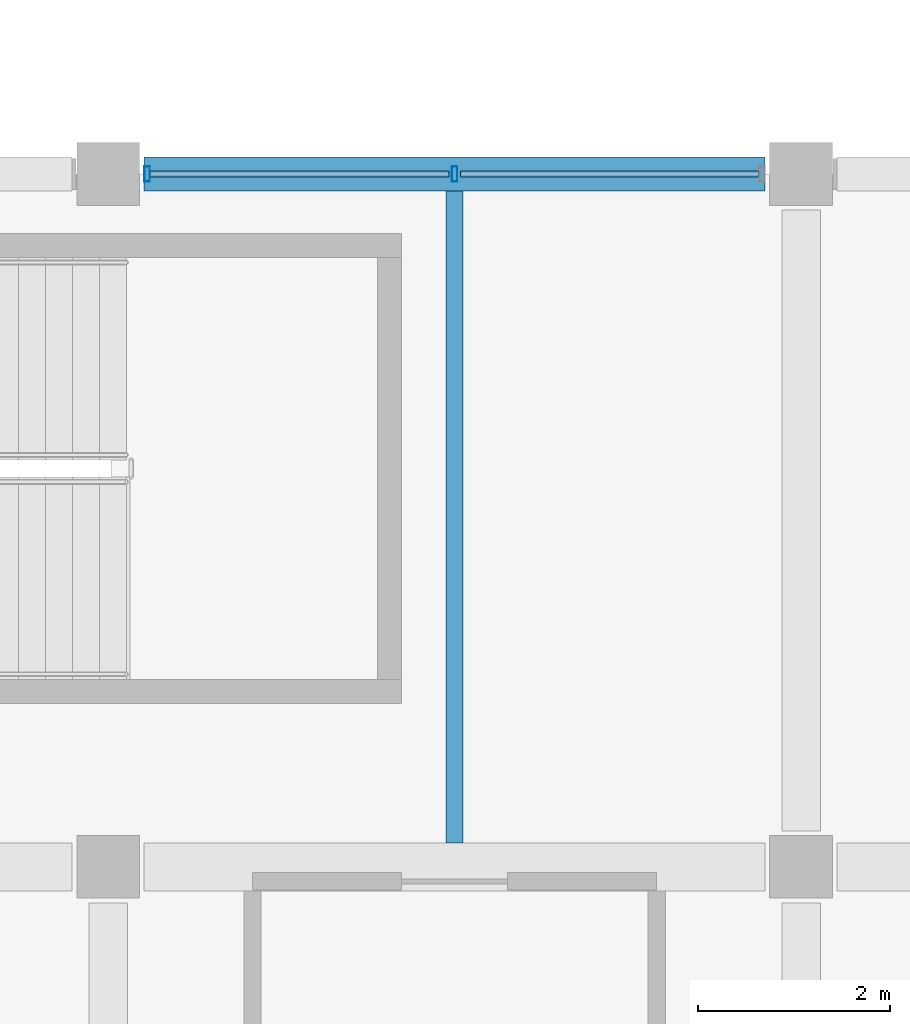
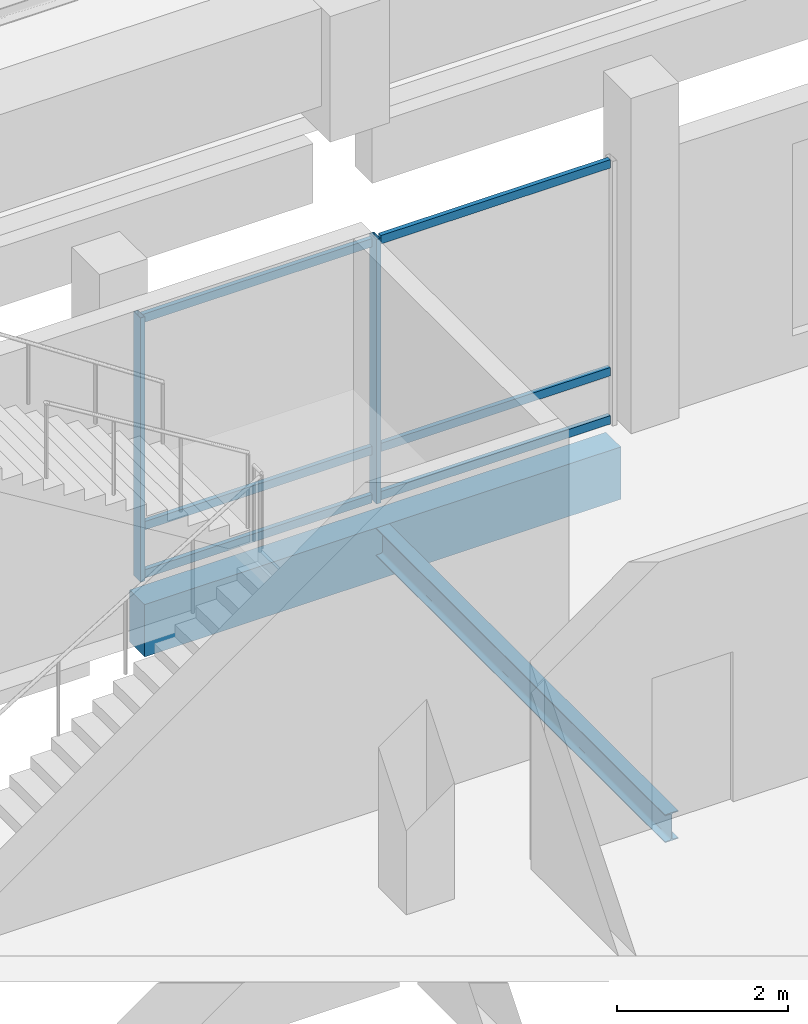
# One storey, part 26 of 116: 8 members, 2 beams, 1 element without a shape of its own.
"""IFC4 building model written with IfcOpenShell, lengths in metres."""

import ifcopenshell
import ifcopenshell.guid

model = None  # the IFC model being written
_history = None  # IfcOwnerHistory: only IFC2X3 demands one
_inside = {}  # id of a spatial element -> (the spatial element, [elements in it])
_under = {}  # id of a project, library or spatial element -> (it, [spatial elements below it])
_declared = {}  # id of a project -> (the project, [libraries it declares])
_typed = {}  # id of a type object -> (the type object, [elements of that type])
_made_of = {}  # id of a material, layer set ... -> (it, [elements and type objects made of it])


def new_model(schema):
    """Start an empty IFC model of exactly this schema.

    Asked for "IFC4X3", IfcOpenShell would pick the latest addendum, in which some entities
    have other attributes; the version numbers below select the first issue.
    IFC2X3 requires an IfcOwnerHistory on every rooted entity: one is made here for all.
    """
    global model, _history
    if schema == "IFC4X3":
        model = ifcopenshell.file(schema_version=(4, 3, 0, 0))
    else:
        model = ifcopenshell.file(schema=schema)
    _inside.clear()
    _under.clear()
    _declared.clear()
    _typed.clear()
    _made_of.clear()
    _history = None
    if model.schema == "IFC2X3":
        org = make("IfcOrganization", Name="unknown")
        user = make(
            "IfcPersonAndOrganization",
            ThePerson=make("IfcPerson", FamilyName="unknown"),
            TheOrganization=org,
        )
        app = make(
            "IfcApplication",
            ApplicationDeveloper=org,
            Version="unknown",
            ApplicationFullName="unknown",
            ApplicationIdentifier="unknown",
        )
        _history = make(
            "IfcOwnerHistory",
            OwningUser=user,
            OwningApplication=app,
            ChangeAction="ADDED",
            CreationDate=0,
        )
    return model


def make(cls, **values):
    """One entity of the class cls with the attributes given. An attribute that is None is left unset."""
    return model.create_entity(
        cls, **{name: value for name, value in values.items() if value is not None}
    )


def rooted(cls, **values):
    """An entity with a GlobalId (a new one), such as an element, a storey or a relation."""
    return make(cls, GlobalId=ifcopenshell.guid.new(), OwnerHistory=_history, **values)


def si_unit(unit_type, name, prefix=None):
    """IfcSIUnit, for example si_unit("LENGTHUNIT", "METRE", prefix="MILLI")."""
    return make("IfcSIUnit", UnitType=unit_type, Prefix=prefix, Name=name)


def assignment(units):
    """IfcUnitAssignment: the units of a project."""
    return None if units is None else make("IfcUnitAssignment", Units=units)


def point(xyz):
    """IfcCartesianPoint."""
    return None if xyz is None else make("IfcCartesianPoint", Coordinates=xyz)


def direction(xyz):
    """IfcDirection."""
    return None if xyz is None else make("IfcDirection", DirectionRatios=xyz)


def frame(location, z_axis=None, x_axis=None):
    """IfcAxis2Placement3D, a coordinate frame: its origin and axes. An axis left out is left unset."""
    return make(
        "IfcAxis2Placement3D",
        Location=point(location),
        Axis=direction(z_axis),
        RefDirection=direction(x_axis),
    )


def frame_2d(location, x_axis=None):
    """IfcAxis2Placement2D, a coordinate frame in the plane: its origin and x axis."""
    return make(
        "IfcAxis2Placement2D", Location=point(location), RefDirection=direction(x_axis)
    )


def origin():
    """The frame at (0, 0, 0) with its axes left unset."""
    return frame((0.0, 0.0, 0.0))


def origin_2d():
    """The frame at (0, 0) in the plane with its x axis left unset."""
    return frame_2d((0.0, 0.0))


def place(relative_to, where):
    """IfcLocalPlacement: puts the frame where relative to a parent placement (None: the world)."""
    return make(
        "IfcLocalPlacement", PlacementRelTo=relative_to, RelativePlacement=where
    )


def context(
    kind, dimensions, precision=None, world=None, true_north=None, identifier=None
):
    """IfcGeometricRepresentationContext, for example the 3D "Model" context."""
    return make(
        "IfcGeometricRepresentationContext",
        ContextIdentifier=identifier,
        ContextType=kind,
        CoordinateSpaceDimension=dimensions,
        Precision=precision,
        WorldCoordinateSystem=world,
        TrueNorth=true_north,
    )


def subcontext(parent, identifier, kind, view, scale=None):
    """IfcGeometricRepresentationSubContext, for example "Body" below "Model"."""
    return make(
        "IfcGeometricRepresentationSubContext",
        ContextIdentifier=identifier,
        ContextType=kind,
        ParentContext=parent,
        TargetScale=scale,
        TargetView=view,
    )


def project(units=None, contexts=None):
    """IfcProject with its units and contexts."""
    return rooted(
        "IfcProject",
        Name="project",
        RepresentationContexts=contexts,
        UnitsInContext=assignment(units),
    )


def spatial(cls, under=None, at=None, **own):
    """A site, building, storey or space (cls), placed at a placement, below another one or the project."""
    s = rooted(cls, ObjectPlacement=at, **own)
    if under is not None:
        _under.setdefault(under.id(), (under, []))[1].append(s)
    return s


def profile(cls, at=None, kind="AREA", **sizes):
    """A parametric profile (cls). Its sizes go by their IFC names, for example OverallWidth=200.0."""
    return make(cls, ProfileType=kind, Position=at, **sizes)


def rectangle(**sizes):
    """IfcRectangleProfileDef."""
    return profile("IfcRectangleProfileDef", **sizes)


def hollow_rectangle(**sizes):
    """IfcRectangleHollowProfileDef."""
    return profile("IfcRectangleHollowProfileDef", **sizes)


def i_section(**sizes):
    """IfcIShapeProfileDef."""
    return profile("IfcIShapeProfileDef", **sizes)


def extrude(swept, where, along, depth):
    """IfcExtrudedAreaSolid: the profile swept, set in the frame where, extruded along a direction by depth."""
    return make(
        "IfcExtrudedAreaSolid",
        SweptArea=swept,
        Position=where,
        ExtrudedDirection=direction(along),
        Depth=depth,
    )


def shape(context_of_items, identifier, shape_type, items):
    """IfcShapeRepresentation: the items that make up one representation, for example the "Body"."""
    return make(
        "IfcShapeRepresentation",
        ContextOfItems=context_of_items,
        RepresentationIdentifier=identifier,
        RepresentationType=shape_type,
        Items=items,
    )


def material(Name=None, Category=None):
    """IfcMaterial."""
    return make("IfcMaterial", Name=Name, Category=Category)


def material_profile(
    of_material, cross_section, Name=None, Category=None, Priority=None
):
    """IfcMaterialProfile: a cross section and its material."""
    return make(
        "IfcMaterialProfile",
        Name=Name,
        Material=of_material,
        Profile=cross_section,
        Priority=Priority,
        Category=Category,
    )


def profile_set(profiles, Name=None, composite=None):
    """IfcMaterialProfileSet."""
    return make(
        "IfcMaterialProfileSet",
        Name=Name,
        MaterialProfiles=profiles,
        CompositeProfile=composite,
    )


def made_of(thing, what):
    """Note that an element or type object is made of a material, layer set ...; save() writes the relation."""
    if what is not None:
        _made_of.setdefault(what.id(), (what, []))[1].append(thing)
    return thing


def type_object(cls, material=None, **own):
    """A type object (cls), such as IfcWallType, which elements share."""
    return made_of(rooted(cls, **own), material)


def element(
    cls,
    number,
    at=None,
    inside=None,
    cuts=None,
    type_object=None,
    material=None,
    context=None,
    identifier="Body",
    shape_type=None,
    held_by="IfcProductDefinitionShape",
    body=None,
    shapes=None,
    **own,
):
    """One element of the class cls, such as IfcWall. Its Tag is "e" and its number.

    at: its placement. inside: the storey or other place that contains it. cuts: it is an
    opening in that element (IfcRelVoidsElement). A single representation is given by context,
    identifier, shape_type and body (its items); several are given by shapes. held_by: the class
    of the entity that holds the representations. save() writes the other relations.
    """
    e = rooted(cls, Tag="e%d" % number, ObjectPlacement=at, **own)
    if body is not None:
        shapes = [shape(context, identifier, shape_type, body)]
    if shapes is not None:
        e.Representation = make(held_by, Representations=shapes)
    if inside is not None:
        _inside.setdefault(inside.id(), (inside, []))[1].append(e)
    if cuts is not None:
        rooted(
            "IfcRelVoidsElement", RelatingBuildingElement=cuts, RelatedOpeningElement=e
        )
    if type_object is not None:
        _typed.setdefault(type_object.id(), (type_object, []))[1].append(e)
    return made_of(e, material)


def aggregate(whole, parts):
    """IfcRelAggregates: a whole, such as a stair, and the parts it consists of."""
    return rooted("IfcRelAggregates", RelatingObject=whole, RelatedObjects=parts)


def save(model, path):
    """Write the relations noted so far, then the file.

    IfcRelAggregates (storeys below a building ...), IfcRelContainedInSpatialStructure (elements
    in a storey), IfcRelDefinesByType, IfcRelAssociatesMaterial and IfcRelDeclares: one each for
    every whole, place, type object, material and project.
    """
    for whole, parts in _under.values():
        aggregate(whole, parts)
    for where, things in _inside.values():
        rooted(
            "IfcRelContainedInSpatialStructure",
            RelatedElements=things,
            RelatingStructure=where,
        )
    for kind, things in _typed.values():
        rooted("IfcRelDefinesByType", RelatedObjects=things, RelatingType=kind)
    for what, things in _made_of.values():
        rooted("IfcRelAssociatesMaterial", RelatedObjects=things, RelatingMaterial=what)
    for by, libraries in _declared.values():
        rooted("IfcRelDeclares", RelatingContext=by, RelatedDefinitions=libraries)
    model.write(path)


model = new_model("IFC4")

# Units and contexts
model_context = context("Model", 3, precision=1e-05, world=origin(), true_north=direction((0.0, 1.0)))
body_context = subcontext(model_context, "Body", "Model", "MODEL_VIEW")
ifc_project = project(units=[si_unit("LENGTHUNIT", "METRE"), si_unit("AREAUNIT", "SQUARE_METRE"), si_unit("VOLUMEUNIT", "CUBIC_METRE"), si_unit("PLANEANGLEUNIT", "RADIAN"), si_unit("MASSUNIT", "GRAM", prefix="KILO")], contexts=[model_context])

# Site, building, storey
site_placement = place(None, origin())
site = spatial("IfcSite", under=ifc_project, at=site_placement, CompositionType="ELEMENT")
building_placement = place(site_placement, origin())
building = spatial("IfcBuilding", under=site, at=building_placement, Name="Cendralis Lancet Convention Centre", CompositionType="ELEMENT")
storey_placement = place(building_placement, frame((0.0, 0.0, 15.0)))
storey = spatial("IfcBuildingStorey", under=building, at=storey_placement, Name="L03", CompositionType="ELEMENT", Elevation=15.0)

# Curtain wall, members
ifc_material_1 = material(Name="Anodised bronze architectural aluminium", Category="aluminium")
curtain_wall_type = type_object("IfcCurtainWallType", Name="ARC-CW-CL02", PredefinedType="USERDEFINED", material=ifc_material_1)
curtain_wall_placement = place(storey_placement, origin())
curtain_wall = element("IfcCurtainWall", 1, at=curtain_wall_placement, inside=storey, type_object=curtain_wall_type, Name="L03 Curtain Wall CW-CL2 #188", ObjectType="CURTAIN WALL", PredefinedType="USERDEFINED")
ifc_material_profile_1 = material_profile(ifc_material_1, hollow_rectangle(XDim=0.06005859375, YDim=0.159912109375, WallThickness=0.00390625, at=origin_2d()), Name="AL-MULL 60x160x4.0")
ifc_profile_set_1 = profile_set([ifc_material_profile_1], Name="Anodised bronze architectural aluminium")
member_type_1 = type_object("IfcMemberType", Name="ARC-CW-ML01", PredefinedType="MULLION", material=ifc_profile_set_1)
member_1_placement = place(storey_placement, frame((154.0048828125, 36.0, 0.0), z_axis=(0.0, 0.0, 1.0), x_axis=(1.0, 0.0, 0.0)))
member_1 = element("IfcMember", 2, at=member_1_placement, type_object=member_type_1, Name="Mullion CW2-CW-CL2-L03-188-M0", PredefinedType="MULLION", context=body_context, shape_type="SweptSolid", body=[
    extrude(hollow_rectangle(XDim=0.06005859375, YDim=0.159912109375, WallThickness=0.00390625, at=origin_2d()), origin(), (0.0, 0.0, 1.0), 3.784912109375),
])
member_2_placement = place(storey_placement, frame((157.199951171875, 36.0, 0.0), z_axis=(0.0, 0.0, 1.0), x_axis=(1.0, 0.0, 0.0)))
member_2 = element("IfcMember", 3, at=member_2_placement, type_object=member_type_1, Name="Mullion CW2-CW-CL2-L03-188-M1", PredefinedType="MULLION", context=body_context, shape_type="SweptSolid", body=[
    extrude(hollow_rectangle(XDim=0.06005859375, YDim=0.159912109375, WallThickness=0.00390625, at=origin_2d()), origin(), (0.0, 0.0, 1.0), 3.784912109375),
])
ifc_material_profile_2 = material_profile(ifc_material_1, hollow_rectangle(XDim=0.06005859375, YDim=0.1201171875, WallThickness=0.00390625, at=origin_2d()), Name="AL-TRAN 60x120x4.0")
ifc_profile_set_2 = profile_set([ifc_material_profile_2], Name="Anodised bronze architectural aluminium")
member_type_2 = type_object("IfcMemberType", Name="ARC-CW-TR01", PredefinedType="USERDEFINED", material=ifc_profile_set_2)
member_3_placement = place(storey_placement, frame((154.034912109375, 36.0, 0.06005859375), z_axis=(1.0, 0.0, 0.0), x_axis=(0.0, 1.0, 0.0)))
member_3 = element("IfcMember", 4, at=member_3_placement, type_object=member_type_2, Name="Transom CW2-CW-CL2-L03-188-T0BOT", ObjectType="TRANSOM", PredefinedType="USERDEFINED", context=body_context, shape_type="SweptSolid", body=[
    extrude(hollow_rectangle(XDim=0.06005859375, YDim=0.1201171875, WallThickness=0.00390625, at=origin_2d()), origin(), (0.0, 0.0, 1.0), 3.10498046875),
])
member_4_placement = place(storey_placement, frame((154.034912109375, 36.0, 0.75), z_axis=(1.0, 0.0, 0.0), x_axis=(0.0, 1.0, 0.0)))
member_4 = element("IfcMember", 5, at=member_4_placement, type_object=member_type_2, Name="Transom CW2-CW-CL2-L03-188-T0MID", ObjectType="TRANSOM", PredefinedType="USERDEFINED", context=body_context, shape_type="SweptSolid", body=[
    extrude(hollow_rectangle(XDim=0.06005859375, YDim=0.1201171875, WallThickness=0.00390625, at=origin_2d()), origin(), (0.0, 0.0, 1.0), 3.10498046875),
])
member_5_placement = place(storey_placement, frame((154.034912109375, 36.0, 3.72509765625), z_axis=(1.0, 0.0, 0.0), x_axis=(0.0, 1.0, 0.0)))
member_5 = element("IfcMember", 6, at=member_5_placement, type_object=member_type_2, Name="Transom CW2-CW-CL2-L03-188-T0TOP", ObjectType="TRANSOM", PredefinedType="USERDEFINED", context=body_context, shape_type="SweptSolid", body=[
    extrude(hollow_rectangle(XDim=0.06005859375, YDim=0.1201171875, WallThickness=0.00390625, at=origin_2d()), origin(), (0.0, 0.0, 1.0), 3.10498046875),
])
member_6_placement = place(storey_placement, frame((157.260009765625, 36.0, 0.06005859375), z_axis=(1.0, 0.0, 0.0), x_axis=(0.0, 1.0, 0.0)))
member_6 = element("IfcMember", 7, at=member_6_placement, type_object=member_type_2, Name="Transom CW2-CW-CL2-L03-188-T1BOT", ObjectType="TRANSOM", PredefinedType="USERDEFINED", context=body_context, shape_type="SweptSolid", body=[
    extrude(hollow_rectangle(XDim=0.06005859375, YDim=0.1201171875, WallThickness=0.00390625, at=origin_2d()), origin(), (0.0, 0.0, 1.0), 3.10498046875),
])
member_7_placement = place(storey_placement, frame((157.260009765625, 36.0, 0.75), z_axis=(1.0, 0.0, 0.0), x_axis=(0.0, 1.0, 0.0)))
member_7 = element("IfcMember", 8, at=member_7_placement, type_object=member_type_2, Name="Transom CW2-CW-CL2-L03-188-T1MID", ObjectType="TRANSOM", PredefinedType="USERDEFINED", context=body_context, shape_type="SweptSolid", body=[
    extrude(hollow_rectangle(XDim=0.06005859375, YDim=0.1201171875, WallThickness=0.00390625, at=origin_2d()), origin(), (0.0, 0.0, 1.0), 3.10498046875),
])
member_8_placement = place(storey_placement, frame((157.260009765625, 36.0, 3.72509765625), z_axis=(1.0, 0.0, 0.0), x_axis=(0.0, 1.0, 0.0)))
member_8 = element("IfcMember", 9, at=member_8_placement, type_object=member_type_2, Name="Transom CW2-CW-CL2-L03-188-T1TOP", ObjectType="TRANSOM", PredefinedType="USERDEFINED", context=body_context, shape_type="SweptSolid", body=[
    extrude(hollow_rectangle(XDim=0.06005859375, YDim=0.1201171875, WallThickness=0.00390625, at=origin_2d()), origin(), (0.0, 0.0, 1.0), 3.10498046875),
])
aggregate(curtain_wall, [member_1, member_2, member_3, member_4, member_5, member_6, member_7, member_8])

# Beams
ifc_material_2 = material(Name="Steel S355", Category="steel")
ifc_material_profile_3 = material_profile(ifc_material_2, i_section(OverallWidth=0.179931640625, OverallDepth=0.39990234375, WebThickness=0.008544921875, FlangeThickness=0.013427734375, FilletRadius=0.02099609375, at=origin_2d()), Name="IPE 400")
ifc_profile_set_3 = profile_set([ifc_material_profile_3], Name="Steel S355")
beam_type_1 = type_object("IfcBeamType", Name="STR-JS-BJ08", PredefinedType="JOIST", material=ifc_profile_set_3)
beam_1_placement = place(storey_placement, frame((157.199951171875, 29.050048828125, -0.4599609375), z_axis=(0.0, 1.0, 0.0), x_axis=(-1.0, 0.0, 0.0)))
element("IfcBeam", 10, at=beam_1_placement, inside=storey, type_object=beam_type_1, Name="L03 Beam BJ08 #0484", PredefinedType="JOIST", context=body_context, shape_type="SweptSolid", body=[
    extrude(i_section(OverallWidth=0.179931640625, OverallDepth=0.39990234375, WebThickness=0.008544921875, FlangeThickness=0.013427734375, FilletRadius=0.02099609375, at=origin_2d()), origin(), (0.0, 0.0, 1.0), 6.77490234375),
])
ifc_material_3 = material(Name="Concrete G40 (C40/50)", Category="concrete")
ifc_material_profile_4 = material_profile(ifc_material_3, rectangle(XDim=0.35009765625, YDim=0.75, at=origin_2d()), Name="RCB 350x750")
ifc_profile_set_4 = profile_set([ifc_material_profile_4], Name="Concrete G40 (C40/50)")
beam_type_2 = type_object("IfcBeamType", Name="STR-SP-SP01", PredefinedType="SPANDREL", material=ifc_profile_set_4)
beam_2_placement = place(storey_placement, frame((153.97509765625, 36.0, -0.635009765625), z_axis=(1.0, 0.0, 0.0), x_axis=(0.0, 1.0, 0.0)))
element("IfcBeam", 11, at=beam_2_placement, inside=storey, type_object=beam_type_2, Name="L03 Beam SP01 #0422", PredefinedType="SPANDREL", context=body_context, shape_type="SweptSolid", body=[
    extrude(rectangle(XDim=0.35009765625, YDim=0.75, at=origin_2d()), origin(), (0.0, 0.0, 1.0), 6.449951171875),
])

save(model, "model.ifc")
